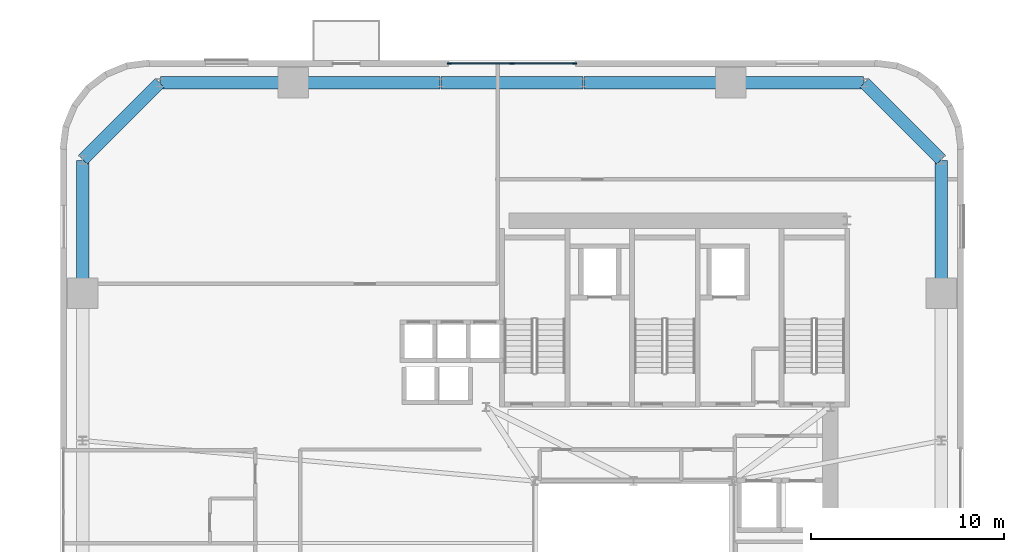
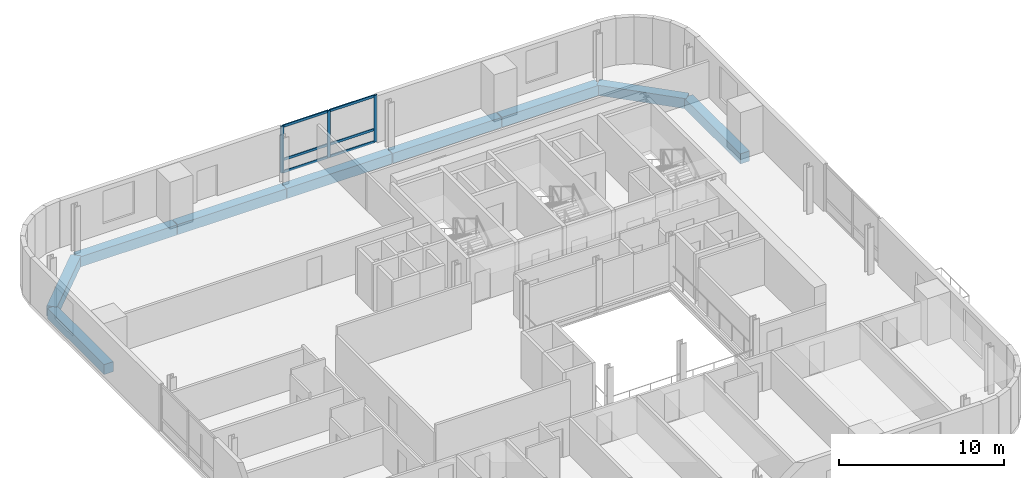
# One storey, part 4 of 14: 9 beams, 9 members, 1 element without a shape of its own.
"""IFC4 building model written with IfcOpenShell, lengths in metres."""

from ifc_helpers import new_model, si_unit, direction, frame, origin, origin_2d, place, context, subcontext, project, spatial, rectangle, extrude, source, transform, mapped, material, material_profile, profile_set, type_object, element, aggregate, save


model = new_model("IFC4")

# Units and contexts
model_context = context("Model", 3, precision=1e-05, world=origin(), true_north=direction((0.0, 1.0)))
body_context = subcontext(model_context, "Body", "Model", "MODEL_VIEW")
ifc_project = project(units=[si_unit("LENGTHUNIT", "METRE"), si_unit("AREAUNIT", "SQUARE_METRE"), si_unit("VOLUMEUNIT", "CUBIC_METRE"), si_unit("PLANEANGLEUNIT", "RADIAN"), si_unit("MASSUNIT", "GRAM", prefix="KILO")], contexts=[model_context])

# Site, building, storey
site_placement = place(None, origin())
site = spatial("IfcSite", under=ifc_project, at=site_placement, CompositionType="ELEMENT")
building_placement = place(site_placement, origin())
building = spatial("IfcBuilding", under=site, at=building_placement, Name="Vardaveli Station Tower", CompositionType="ELEMENT")
storey_placement = place(building_placement, frame((0.0, 0.0, 152.0)))
storey = spatial("IfcBuildingStorey", under=building, at=storey_placement, Name="L39", CompositionType="ELEMENT", Elevation=152.0)

# Beams
ifc_material_1 = material(Name="Precast concrete C45/55", Category="concrete")
ifc_material_profile_1 = material_profile(ifc_material_1, rectangle(XDim=0.64990234375, YDim=0.75, at=origin_2d()), Name="LPB 650x750")
ifc_profile_set_1 = profile_set([ifc_material_profile_1], Name="Precast concrete C45/55")
beam_type = type_object("IfcBeamType", Name="BM-LPB-750", PredefinedType="BEAM", material=ifc_profile_set_1)
shared_shape_1 = source(origin(), body_context, "Body", "SweptSolid", [
    extrude(rectangle(XDim=0.64990234375, YDim=0.75, at=origin_2d()), origin(), (0.0, 0.0, 1.0), 7.60009765625),
])
for number, where, z_axis, x_axis, name in (
    (1, (41.320068359375, 47.449951171875, -0.614990234375), (-1.0, 0.0, 0.0), (0.0, -1.0, 0.0), "RBM-L39-13"),
    (2, (26.280029296875, 47.449951171875, -0.614990234375), (-1.0, 0.0, 0.0), (0.0, -1.0, 0.0), "RBM-L39-15"),
):
    element("IfcBeam", number, at=place(storey_placement, frame(where, z_axis=z_axis, x_axis=x_axis)), inside=storey, type_object=beam_type, Name=name, PredefinedType="BEAM", context=body_context, shape_type="MappedRepresentation", body=[
        mapped(shared_shape_1, transform((0.0, 0.0, 0.0), scale=1.0)),
    ])
shared_shape_2 = source(origin(), body_context, "Body", "SweptSolid", [
    extrude(rectangle(XDim=0.64990234375, YDim=0.75, at=origin_2d()), origin(), (0.0, 0.0, 1.0), 7.35986328125),
])
beam_placement = place(storey_placement, frame((33.679931640625, 47.449951171875, -0.614990234375), z_axis=(-1.0, 0.0, 0.0), x_axis=(0.0, -1.0, 0.0)))
element("IfcBeam", 3, at=beam_placement, inside=storey, type_object=beam_type, Name="RBM-L39-14", PredefinedType="BEAM", context=body_context, shape_type="MappedRepresentation", body=[
    mapped(shared_shape_2, transform((0.0, 0.0, 0.0), scale=1.0)),
])
shared_shape_3 = source(origin(), body_context, "Body", "SweptSolid", [
    extrude(rectangle(XDim=0.64990234375, YDim=0.75, at=origin_2d()), origin(), (0.0, 0.0, 1.0), 6.869873046875),
])
for number, where, z_axis, x_axis, name in (
    (4, (52.25, 36.56005859375, -0.614990234375), (0.0, 1.0, 0.0), (-1.0, 0.0, 0.0), "RBM-L39-10"),
    (5, (48.22998046875, 47.449951171875, -0.614990234375), (-1.0, 0.0, 0.0), (0.0, -1.0, 0.0), "RBM-L39-12"),
    (6, (18.639892578125, 47.449951171875, -0.614990234375), (-1.0, 0.0, 0.0), (0.0, -1.0, 0.0), "RBM-L39-16"),
    (7, (7.75, 43.429931640625, -0.614990234375), (0.0, -1.0, 0.0), (1.0, 0.0, 0.0), "RBM-L39-18"),
):
    element("IfcBeam", number, at=place(storey_placement, frame(where, z_axis=z_axis, x_axis=x_axis)), inside=storey, type_object=beam_type, Name=name, PredefinedType="BEAM", context=body_context, shape_type="MappedRepresentation", body=[
        mapped(shared_shape_3, transform((0.0, 0.0, 0.0), scale=1.0)),
    ])
shared_shape_4 = source(origin(), body_context, "Body", "SweptSolid", [
    extrude(rectangle(XDim=0.64990234375, YDim=0.75, at=origin_2d()), origin(), (0.0, 0.0, 1.0), 5.61669921875),
])
for number, where, z_axis, x_axis, name in (
    (8, (52.23583984375, 43.464111328125, -0.614990234375), (-0.707106781187, 0.707106781187, 0.0), (-0.707106781187, -0.707106781187, 0.0), "RBM-L39-11"),
    (9, (11.73583984375, 47.435791015625, -0.614990234375), (-0.707106781187, -0.707106781187, 0.0), (0.707106781187, -0.707106781187, 0.0), "RBM-L39-17"),
):
    element("IfcBeam", number, at=place(storey_placement, frame(where, z_axis=z_axis, x_axis=x_axis)), inside=storey, type_object=beam_type, Name=name, PredefinedType="BEAM", context=body_context, shape_type="MappedRepresentation", body=[
        mapped(shared_shape_4, transform((0.0, 0.0, 0.0), scale=1.0)),
    ])

# Curtain wall, members
ifc_material_2 = material(Name="Travertine stone and solar-control glass", Category="masonry")
curtain_wall_type = type_object("IfcCurtainWallType", Name="CW-SYS-2", PredefinedType="NOTDEFINED", material=ifc_material_2)
curtain_wall_placement = place(storey_placement, origin())
curtain_wall = element("IfcCurtainWall", 10, at=curtain_wall_placement, inside=storey, type_object=curtain_wall_type, Name="CW-L39-N", PredefinedType="NOTDEFINED")
ifc_material_3 = material(Name="Anodised aluminium alloy 6063-T6", Category="aluminium")
ifc_material_profile_2 = material_profile(ifc_material_3, rectangle(XDim=0.0849609375, YDim=0.179931640625, at=origin_2d()), Name="CWT 85x180")
ifc_profile_set_2 = profile_set([ifc_material_profile_2], Name="Anodised aluminium alloy 6063-T6")
member_type_1 = type_object("IfcMemberType", Name="CW-SYS-2-TRAN", PredefinedType="NOTDEFINED", material=ifc_profile_set_2)
shared_shape_5 = source(origin(), body_context, "Body", "SweptSolid", [
    extrude(rectangle(XDim=0.0849609375, YDim=0.179931640625, at=origin_2d()), origin(), (0.0, 0.0, 1.0), 3.172607421875),
])
member_1_placement = place(storey_placement, frame((33.215087890625, 48.43994140625, 0.04248046875), z_axis=(-1.0, 0.0, 0.0), x_axis=(0.0, -1.0, 0.0)))
member_1 = element("IfcMember", 11, at=member_1_placement, type_object=member_type_1, Name="CW-2 transom 1.1", ObjectType="TRANSOM", PredefinedType="USERDEFINED", context=body_context, shape_type="MappedRepresentation", body=[
    mapped(shared_shape_5, transform((0.0, 0.0, 0.0), scale=1.0)),
])
member_2_placement = place(storey_placement, frame((33.215087890625, 48.43994140625, 0.949951171875), z_axis=(-1.0, 0.0, 0.0), x_axis=(0.0, -1.0, 0.0)))
member_2 = element("IfcMember", 12, at=member_2_placement, type_object=member_type_1, Name="CW-2 transom 1.2", ObjectType="TRANSOM", PredefinedType="USERDEFINED", context=body_context, shape_type="MappedRepresentation", body=[
    mapped(shared_shape_5, transform((0.0, 0.0, 0.0), scale=1.0)),
])
member_3_placement = place(storey_placement, frame((33.215087890625, 48.43994140625, 3.41748046875), z_axis=(-1.0, 0.0, 0.0), x_axis=(0.0, -1.0, 0.0)))
member_3 = element("IfcMember", 13, at=member_3_placement, type_object=member_type_1, Name="CW-2 transom 1.3", ObjectType="TRANSOM", PredefinedType="USERDEFINED", context=body_context, shape_type="MappedRepresentation", body=[
    mapped(shared_shape_5, transform((0.0, 0.0, 0.0), scale=1.0)),
])
member_4_placement = place(storey_placement, frame((29.95751953125, 48.43994140625, 0.04248046875), z_axis=(-1.0, 0.0, 0.0), x_axis=(0.0, -1.0, 0.0)))
member_4 = element("IfcMember", 14, at=member_4_placement, type_object=member_type_1, Name="CW-2 transom 2.1", ObjectType="TRANSOM", PredefinedType="USERDEFINED", context=body_context, shape_type="MappedRepresentation", body=[
    mapped(shared_shape_5, transform((0.0, 0.0, 0.0), scale=1.0)),
])
member_5_placement = place(storey_placement, frame((29.95751953125, 48.43994140625, 0.949951171875), z_axis=(-1.0, 0.0, 0.0), x_axis=(0.0, -1.0, 0.0)))
member_5 = element("IfcMember", 15, at=member_5_placement, type_object=member_type_1, Name="CW-2 transom 2.2", ObjectType="TRANSOM", PredefinedType="USERDEFINED", context=body_context, shape_type="MappedRepresentation", body=[
    mapped(shared_shape_5, transform((0.0, 0.0, 0.0), scale=1.0)),
])
member_6_placement = place(storey_placement, frame((29.95751953125, 48.43994140625, 3.41748046875), z_axis=(-1.0, 0.0, 0.0), x_axis=(0.0, -1.0, 0.0)))
member_6 = element("IfcMember", 16, at=member_6_placement, type_object=member_type_1, Name="CW-2 transom 2.3", ObjectType="TRANSOM", PredefinedType="USERDEFINED", context=body_context, shape_type="MappedRepresentation", body=[
    mapped(shared_shape_5, transform((0.0, 0.0, 0.0), scale=1.0)),
])
ifc_material_profile_3 = material_profile(ifc_material_3, rectangle(XDim=0.0849609375, YDim=0.219970703125, at=origin_2d()), Name="CWM 85x220")
ifc_profile_set_3 = profile_set([ifc_material_profile_3], Name="Anodised aluminium alloy 6063-T6")
member_type_2 = type_object("IfcMemberType", Name="CW-SYS-2-MULL", PredefinedType="MULLION", material=ifc_profile_set_3)
shared_shape_6 = source(origin(), body_context, "Body", "SweptSolid", [
    extrude(rectangle(XDim=0.0849609375, YDim=0.219970703125, at=origin_2d()), origin(), (0.0, 0.0, 1.0), 3.4599609375),
])
member_7_placement = place(storey_placement, frame((33.257568359375, 48.43994140625, 0.0), z_axis=(0.0, 0.0, 1.0), x_axis=(0.0, -1.0, 0.0)))
member_7 = element("IfcMember", 17, at=member_7_placement, type_object=member_type_2, Name="CW-2 mullion 1", PredefinedType="MULLION", context=body_context, shape_type="MappedRepresentation", body=[
    mapped(shared_shape_6, transform((0.0, 0.0, 0.0), scale=1.0)),
])
member_8_placement = place(storey_placement, frame((30.0, 48.43994140625, 0.0), z_axis=(0.0, 0.0, 1.0), x_axis=(0.0, -1.0, 0.0)))
member_8 = element("IfcMember", 18, at=member_8_placement, type_object=member_type_2, Name="CW-2 mullion 2", PredefinedType="MULLION", context=body_context, shape_type="MappedRepresentation", body=[
    mapped(shared_shape_6, transform((0.0, 0.0, 0.0), scale=1.0)),
])
member_9_placement = place(storey_placement, frame((26.742431640625, 48.43994140625, 0.0), z_axis=(0.0, 0.0, 1.0), x_axis=(0.0, -1.0, 0.0)))
member_9 = element("IfcMember", 19, at=member_9_placement, type_object=member_type_2, Name="CW-2 mullion 3", PredefinedType="MULLION", context=body_context, shape_type="MappedRepresentation", body=[
    mapped(shared_shape_6, transform((0.0, 0.0, 0.0), scale=1.0)),
])
aggregate(curtain_wall, [member_7, member_8, member_9, member_1, member_2, member_3, member_4, member_5, member_6])

save(model, "model.ifc")
